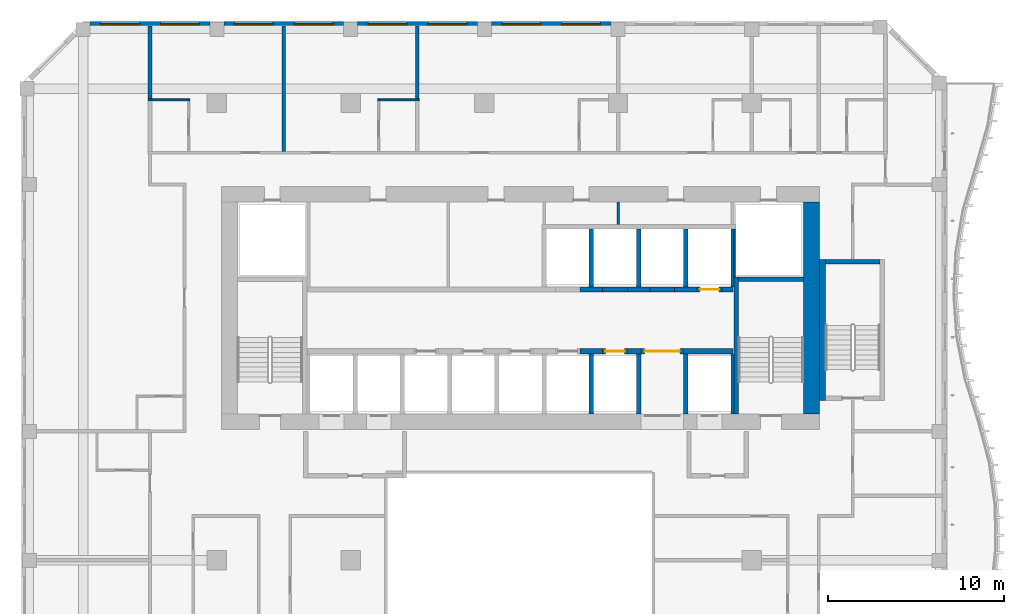
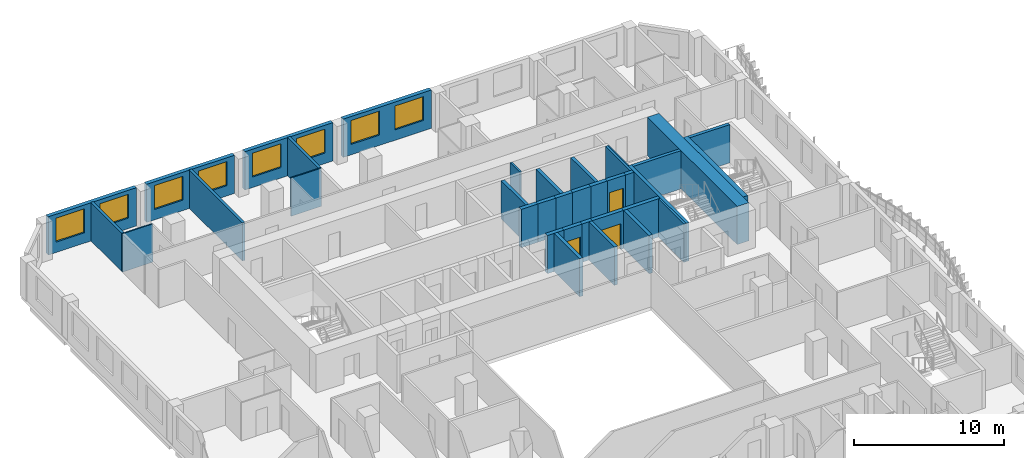
# One storey, part 8 of 20: 36 walls, 8 windows, 3 doors, 11 openings.
"""IFC4 building model written with IfcOpenShell, lengths in metres."""

from ifc_helpers import new_model, si_unit, direction, frame, frame_2d, origin, place, context, subcontext, project, spatial, rectangle, extrude, source, transform, mapped, material, layer, layer_set, type_object, element, fill, save


model = new_model("IFC4")

# Units and contexts
model_context = context("Model", 3, precision=1e-05, world=origin(), true_north=direction((0.0, 1.0)))
body_context = subcontext(model_context, "Body", "Model", "MODEL_VIEW")
ifc_project = project(units=[si_unit("LENGTHUNIT", "METRE"), si_unit("AREAUNIT", "SQUARE_METRE"), si_unit("VOLUMEUNIT", "CUBIC_METRE"), si_unit("PLANEANGLEUNIT", "RADIAN"), si_unit("MASSUNIT", "GRAM", prefix="KILO")], contexts=[model_context])

# Site, building, storey
site_placement = place(None, origin())
site = spatial("IfcSite", under=ifc_project, at=site_placement, CompositionType="ELEMENT")
building_placement = place(site_placement, origin())
building = spatial("IfcBuilding", under=site, at=building_placement, Name="Kilnfold Tower and Market Hall", CompositionType="ELEMENT")
storey_placement = place(building_placement, frame((0.0, 0.0, 157.5)))
storey = spatial("IfcBuildingStorey", under=building, at=storey_placement, Name="L36", CompositionType="ELEMENT", Elevation=157.5)

# Walls
ifc_material_1 = material(Name="Gypsum board on steel studs", Category="steel")
ifc_layer_1 = layer(ifc_material_1, 0.10009765625)
ifc_layer_set_1 = layer_set([ifc_layer_1], Name="Gypsum board on steel studs")
wall_type_1 = type_object("IfcWallType", Name="WALL PARTITION 100", PredefinedType="PARTITIONING", material=ifc_layer_set_1)
for number, where, z_axis, x_axis, name in (
    (1, (-20.05908203125, 26.802001953125, 0.0), (0.0, 0.0, 1.0), (1.0, 0.0, 0.0), "Partition LY23.76"),
    (2, (-7.0419921875, 26.802001953125, 0.0), (0.0, 0.0, 1.0), (1.0, 0.0, 0.0), "Partition LY23.78"),
):
    element("IfcWall", number, at=place(storey_placement, frame(where, z_axis=z_axis, x_axis=x_axis)), inside=storey, type_object=wall_type_1, Name=name, PredefinedType="PARTITIONING", context=body_context, shape_type="SweptSolid", body=[
        extrude(rectangle(XDim=2.35009765625, YDim=0.10009765625, at=frame_2d((1.175048828125, 0.0))), origin(), (0.0, 0.0, 1.0), 3.1201171875),
    ])
ifc_material_2 = material(Name="Gypsum board on steel studs", Category="steel")
ifc_layer_2 = layer(ifc_material_2, 0.199951171875)
ifc_layer_set_2 = layer_set([ifc_layer_2], Name="Gypsum board on steel studs")
wall_type_2 = type_object("IfcWallType", Name="WALL PARTY 200", PredefinedType="PARTITIONING", material=ifc_layer_set_2)
wall_1_placement = place(storey_placement, frame((-19.958984375, 26.842041015625, 0.0), z_axis=(0.0, 0.0, 1.0), x_axis=(0.0, 1.0, 0.0)))
element("IfcWall", 3, at=wall_1_placement, inside=storey, type_object=wall_type_2, Name="Partition LY23.73", PredefinedType="PARTITIONING", context=body_context, shape_type="SweptSolid", body=[
    extrude(rectangle(XDim=4.157958984375, YDim=0.199951171875, at=frame_2d((2.0791015625, 0.0))), origin(), (0.0, 0.0, 1.0), 3.1201171875),
])
wall_2_placement = place(storey_placement, frame((-12.375, 23.876953125, 0.0), z_axis=(0.0, 0.0, 1.0), x_axis=(0.0, 1.0, 0.0)))
element("IfcWall", 4, at=wall_2_placement, inside=storey, type_object=wall_type_2, Name="Partition LY23.77", PredefinedType="PARTITIONING", context=body_context, shape_type="SweptSolid", body=[
    extrude(rectangle(XDim=7.123046875, YDim=0.199951171875, at=frame_2d((3.5615234375, 0.0))), origin(), (0.0, 0.0, 1.0), 3.1201171875),
])
wall_3_placement = place(storey_placement, frame((-4.7919921875, 26.85205078125, 0.0), z_axis=(0.0, 0.0, 1.0), x_axis=(0.0, 1.0, 0.0)))
element("IfcWall", 5, at=wall_3_placement, inside=storey, type_object=wall_type_2, Name="Partition LY23.80", PredefinedType="PARTITIONING", context=body_context, shape_type="SweptSolid", body=[
    extrude(rectangle(XDim=4.14794921875, YDim=0.199951171875, at=frame_2d((2.073974609375, 0.0))), origin(), (0.0, 0.0, 1.0), 3.1201171875),
])
ifc_material_3 = material(Name="Concrete C70", Category="concrete")
ifc_layer_3 = layer(ifc_material_3, 0.89990234375)
ifc_layer_set_3 = layer_set([ifc_layer_3], Name="Concrete C70")
wall_type_3 = type_object("IfcWallType", Name="CORE WALL 900 C70", PredefinedType="SHEAR", material=ifc_layer_set_3)
shared_shape_1 = source(origin(), body_context, "Body", "SweptSolid", [
    extrude(rectangle(XDim=12.0, YDim=0.89990234375, at=frame_2d((6.0, 0.0))), origin(), (0.0, 0.0, 1.0), 3.1201171875),
])
wall_4_placement = place(storey_placement, frame((17.550048828125, 9.0, 0.0), z_axis=(0.0, 0.0, 1.0), x_axis=(0.0, 1.0, 0.0)))
element("IfcWall", 6, at=wall_4_placement, inside=storey, type_object=wall_type_3, Name="Core outer wall east", PredefinedType="SHEAR", context=body_context, shape_type="MappedRepresentation", body=[
    mapped(shared_shape_1, transform((0.0, 0.0, 0.0))),
])
ifc_material_4 = material(Name="Concrete C70", Category="concrete")
ifc_layer_4 = layer(ifc_material_4, 0.25)
ifc_layer_set_4 = layer_set([ifc_layer_4], Name="Concrete C70")
wall_type_4 = type_object("IfcWallType", Name="CORE WALL 250 C70", PredefinedType="SHEAR", material=ifc_layer_set_4)
shared_shape_2 = source(origin(), body_context, "Body", "SweptSolid", [
    extrude(rectangle(XDim=7.75, YDim=0.25, at=frame_2d((3.875, 0.0))), origin(), (0.0, 0.0, 1.0), 3.1201171875),
])
wall_5_placement = place(storey_placement, frame((13.27490234375, 9.0, 0.0), z_axis=(0.0, 0.0, 1.0), x_axis=(0.0, 1.0, 0.0)))
element("IfcWall", 7, at=wall_5_placement, inside=storey, type_object=wall_type_4, Name="Stair enclosure ST2", PredefinedType="SHEAR", context=body_context, shape_type="MappedRepresentation", body=[
    mapped(shared_shape_2, transform((0.0, 0.0, 0.0))),
])
shared_shape_3 = source(origin(), body_context, "Body", "SweptSolid", [
    extrude(rectangle(XDim=3.7001953125, YDim=0.25, at=frame_2d((1.85009765625, 0.0))), origin(), (0.0, 0.0, 1.0), 3.1201171875),
])
wall_6_placement = place(storey_placement, frame((13.39990234375, 16.625, 0.0), z_axis=(0.0, 0.0, 1.0), x_axis=(1.0, 0.0, 0.0)))
element("IfcWall", 8, at=wall_6_placement, inside=storey, type_object=wall_type_4, Name="Stair enclosure ST2", PredefinedType="SHEAR", context=body_context, shape_type="MappedRepresentation", body=[
    mapped(shared_shape_3, transform((0.0, 0.0, 0.0))),
])
ifc_material_5 = material(Name="Concrete C70", Category="concrete")
ifc_layer_5 = layer(ifc_material_5, 0.35009765625)
ifc_layer_set_5 = layer_set([ifc_layer_5], Name="Concrete C70")
wall_type_5 = type_object("IfcWallType", Name="CORE WALL 350 C70", PredefinedType="SHEAR", material=ifc_layer_set_5)
shared_shape_4 = source(origin(), body_context, "Body", "SweptSolid", [
    extrude(rectangle(XDim=8.0, YDim=0.35009765625, at=frame_2d((4.0, 0.0))), origin(), (0.0, 0.0, 1.0), 3.1201171875),
])
wall_7_placement = place(storey_placement, frame((18.175048828125, 9.75, 0.0), z_axis=(0.0, 0.0, 1.0), x_axis=(0.0, 1.0, 0.0)))
element("IfcWall", 9, at=wall_7_placement, inside=storey, type_object=wall_type_5, Name="Stair enclosure ST5", PredefinedType="SHEAR", context=body_context, shape_type="MappedRepresentation", body=[
    mapped(shared_shape_4, transform((0.0, 0.0, 0.0))),
])
shared_shape_5 = source(origin(), body_context, "Body", "SweptSolid", [
    extrude(rectangle(XDim=3.099853515625, YDim=0.25, at=frame_2d((1.5498046875, 0.0))), origin(), (0.0, 0.0, 1.0), 3.1201171875),
])
wall_8_placement = place(storey_placement, frame((18.35009765625, 17.625, 0.0), z_axis=(0.0, 0.0, 1.0), x_axis=(1.0, 0.0, 0.0)))
element("IfcWall", 10, at=wall_8_placement, inside=storey, type_object=wall_type_4, Name="Stair enclosure ST5", PredefinedType="SHEAR", context=body_context, shape_type="MappedRepresentation", body=[
    mapped(shared_shape_5, transform((0.0, 0.0, 0.0))),
])
ifc_material_6 = material(Name="Concrete C70", Category="concrete")
ifc_layer_6 = layer(ifc_material_6, 0.300048828125)
ifc_layer_set_6 = layer_set([ifc_layer_6], Name="Concrete C70")
wall_type_6 = type_object("IfcWallType", Name="CORE WALL 300 C70", PredefinedType="SHEAR", material=ifc_layer_set_6)
shared_shape_6 = source(origin(), body_context, "Body", "SweptSolid", [
    extrude(rectangle(XDim=1.280029296875, YDim=0.300048828125, at=frame_2d((0.64013671875, 0.0))), origin(), (0.0, 0.0, 1.0), 3.1201171875),
])
for number, where, z_axis, x_axis, name in (
    (11, (4.429931640625, 12.550048828125, 0.0), (0.0, 0.0, 1.0), (1.0, 0.0, 0.0), "Core spine wall"),
    (12, (4.429931640625, 16.050048828125, 0.0), (0.0, 0.0, 1.0), (1.0, 0.0, 0.0), "Core spine wall"),
    (13, (9.7900390625, 16.050048828125, 0.0), (0.0, 0.0, 1.0), (1.0, 0.0, 0.0), "Core spine wall"),
):
    element("IfcWall", number, at=place(storey_placement, frame(where, z_axis=z_axis, x_axis=x_axis)), inside=storey, type_object=wall_type_6, Name=name, PredefinedType="SHEAR", context=body_context, shape_type="MappedRepresentation", body=[
        mapped(shared_shape_6, transform((0.0, 0.0, 0.0))),
    ])
shared_shape_7 = source(origin(), body_context, "Body", "SweptSolid", [
    extrude(rectangle(XDim=0.77978515625, YDim=0.300048828125, at=frame_2d((0.389892578125, 0.0))), origin(), (0.0, 0.0, 1.0), 3.1201171875),
])
wall_9_placement = place(storey_placement, frame((7.110107421875, 12.550048828125, 0.0), z_axis=(0.0, 0.0, 1.0), x_axis=(1.0, 0.0, 0.0)))
element("IfcWall", 14, at=wall_9_placement, inside=storey, type_object=wall_type_6, Name="Core spine wall", PredefinedType="SHEAR", context=body_context, shape_type="MappedRepresentation", body=[
    mapped(shared_shape_7, transform((0.0, 0.0, 0.0))),
])
shared_shape_8 = source(origin(), body_context, "Body", "SweptSolid", [
    extrude(rectangle(XDim=2.820068359375, YDim=0.300048828125, at=frame_2d((1.41015625, 0.0))), origin(), (0.0, 0.0, 1.0), 3.1201171875),
])
wall_10_placement = place(storey_placement, frame((10.2900390625, 12.550048828125, 0.0), z_axis=(0.0, 0.0, 1.0), x_axis=(1.0, 0.0, 0.0)))
element("IfcWall", 15, at=wall_10_placement, inside=storey, type_object=wall_type_6, Name="Core spine wall", PredefinedType="SHEAR", context=body_context, shape_type="MappedRepresentation", body=[
    mapped(shared_shape_8, transform((0.0, 0.0, 0.0))),
])
shared_shape_9 = source(origin(), body_context, "Body", "SweptSolid", [
    extrude(rectangle(XDim=1.27978515625, YDim=0.300048828125, at=frame_2d((0.639892578125, 0.0))), origin(), (0.0, 0.0, 1.0), 3.1201171875),
])
wall_11_placement = place(storey_placement, frame((7.110107421875, 16.050048828125, 0.0), z_axis=(0.0, 0.0, 1.0), x_axis=(1.0, 0.0, 0.0)))
element("IfcWall", 16, at=wall_11_placement, inside=storey, type_object=wall_type_6, Name="Core spine wall", PredefinedType="SHEAR", context=body_context, shape_type="MappedRepresentation", body=[
    mapped(shared_shape_9, transform((0.0, 0.0, 0.0))),
])
shared_shape_10 = source(origin(), body_context, "Body", "SweptSolid", [
    extrude(rectangle(XDim=0.64013671875, YDim=0.300048828125, at=frame_2d((0.320068359375, 0.0))), origin(), (0.0, 0.0, 1.0), 3.1201171875),
])
wall_12_placement = place(storey_placement, frame((12.469970703125, 16.050048828125, 0.0), z_axis=(0.0, 0.0, 1.0), x_axis=(1.0, 0.0, 0.0)))
element("IfcWall", 17, at=wall_12_placement, inside=storey, type_object=wall_type_6, Name="Core spine wall", PredefinedType="SHEAR", context=body_context, shape_type="MappedRepresentation", body=[
    mapped(shared_shape_10, transform((0.0, 0.0, 0.0))),
])

# Wall, openings, windows
ifc_material_7 = material(Name="Precast concrete C50/60", Category="concrete")
ifc_layer_7 = layer(ifc_material_7, 0.300048828125)
ifc_layer_set_7 = layer_set([ifc_layer_7], Name="Precast concrete C50/60")
wall_type_7 = type_object("IfcWallType", Name="PRECAST WALL 300", PredefinedType="SOLIDWALL", material=ifc_layer_set_7)
shared_shape_11 = source(origin(), body_context, "Body", "SweptSolid", [
    extrude(rectangle(XDim=6.783447265625, YDim=0.300048828125, at=frame_2d((3.3916015625, 0.0))), origin(), (0.0, 0.0, 1.0), 3.1201171875),
])
wall_13_placement = place(storey_placement, frame((6.183349609375, 31.10009765625, 0.0), z_axis=(0.0, 0.0, 1.0), x_axis=(-1.0, 0.0, 0.0)))
wall_13 = element("IfcWall", 18, at=wall_13_placement, inside=storey, type_object=wall_type_7, Name="External wall L36 N", PredefinedType="SOLIDWALL", context=body_context, shape_type="MappedRepresentation", body=[
    mapped(shared_shape_11, transform((0.0, 0.0, 0.0))),
])
opening_1_placement = place(wall_13_placement, frame((0.595703125, 0.0, 0.85009765625)))
opening_1 = element("IfcOpeningElement", 19, at=opening_1_placement, cuts=wall_13, Name="Opening W2", PredefinedType="OPENING", context=body_context, shape_type="SweptSolid", body=[
    extrude(rectangle(XDim=2.199951171875, YDim=1.949951171875, at=frame_2d((1.10009765625, 0.97509765625))), frame((0.0, 0.16015625, 0.0), z_axis=(0.0, -1.0, 0.0), x_axis=(1.0, 0.0, 0.0)), (0.0, 0.0, 1.0), 0.320068359375),
])
opening_2_placement = place(wall_13_placement, frame((3.987548828125, 0.0, 0.85009765625)))
opening_2 = element("IfcOpeningElement", 20, at=opening_2_placement, cuts=wall_13, Name="Opening W2", PredefinedType="OPENING", context=body_context, shape_type="SweptSolid", body=[
    extrude(rectangle(XDim=2.199951171875, YDim=1.949951171875, at=frame_2d((1.10009765625, 0.97509765625))), frame((0.0, 0.16015625, 0.0), z_axis=(0.0, -1.0, 0.0), x_axis=(1.0, 0.0, 0.0)), (0.0, 0.0, 1.0), 0.320068359375),
])
ifc_material_8 = material(Name="Aluminium frame and double glazing", Category="aluminium")
window_type = type_object("IfcWindowType", Name="WINDOW W2 2200X1950", PartitioningType="SINGLE_PANEL", PredefinedType="WINDOW", material=ifc_material_8)
window_1_placement = place(opening_1_placement, origin())
window_1 = element("IfcWindow", 21, at=window_1_placement, inside=storey, type_object=window_type, Name="Window W2 L36 N-1", OverallHeight=1.949951171875, OverallWidth=2.199951171875, PartitioningType="SINGLE_PANEL", PredefinedType="WINDOW", context=body_context, shape_type="SweptSolid", body=[
    extrude(rectangle(XDim=2.199951171875, YDim=1.949951171875, at=frame_2d((1.10009765625, 0.97509765625))), frame((0.0, 0.030029296875, 0.0), z_axis=(0.0, -1.0, 0.0), x_axis=(1.0, 0.0, 0.0)), (0.0, 0.0, 1.0), 0.06005859375),
])
fill(opening_1, window_1)
window_2_placement = place(opening_2_placement, origin())
window_2 = element("IfcWindow", 22, at=window_2_placement, inside=storey, type_object=window_type, Name="Window W2 L36 N-2", OverallHeight=1.949951171875, OverallWidth=2.199951171875, PartitioningType="SINGLE_PANEL", PredefinedType="WINDOW", context=body_context, shape_type="SweptSolid", body=[
    extrude(rectangle(XDim=2.199951171875, YDim=1.949951171875, at=frame_2d((1.10009765625, 0.97509765625))), frame((0.0, 0.030029296875, 0.0), z_axis=(0.0, -1.0, 0.0), x_axis=(1.0, 0.0, 0.0)), (0.0, 0.0, 1.0), 0.06005859375),
])
fill(opening_2, window_2)

wall_14_placement = place(storey_placement, frame((-1.39990234375, 31.10009765625, 0.0), z_axis=(0.0, 0.0, 1.0), x_axis=(-1.0, 0.0, 0.0)))
wall_14 = element("IfcWall", 23, at=wall_14_placement, inside=storey, type_object=wall_type_7, Name="External wall L36 N", PredefinedType="SOLIDWALL", context=body_context, shape_type="MappedRepresentation", body=[
    mapped(shared_shape_11, transform((0.0, 0.0, 0.0))),
])
opening_3_placement = place(wall_14_placement, frame((0.595703125, 0.0, 0.85009765625)))
opening_3 = element("IfcOpeningElement", 24, at=opening_3_placement, cuts=wall_14, Name="Opening W2", PredefinedType="OPENING", context=body_context, shape_type="SweptSolid", body=[
    extrude(rectangle(XDim=2.199951171875, YDim=1.949951171875, at=frame_2d((1.10009765625, 0.97509765625))), frame((0.0, 0.16015625, 0.0), z_axis=(0.0, -1.0, 0.0), x_axis=(1.0, 0.0, 0.0)), (0.0, 0.0, 1.0), 0.320068359375),
])
opening_4_placement = place(wall_14_placement, frame((3.987548828125, 0.0, 0.85009765625)))
opening_4 = element("IfcOpeningElement", 25, at=opening_4_placement, cuts=wall_14, Name="Opening W2", PredefinedType="OPENING", context=body_context, shape_type="SweptSolid", body=[
    extrude(rectangle(XDim=2.199951171875, YDim=1.949951171875, at=frame_2d((1.10009765625, 0.97509765625))), frame((0.0, 0.16015625, 0.0), z_axis=(0.0, -1.0, 0.0), x_axis=(1.0, 0.0, 0.0)), (0.0, 0.0, 1.0), 0.320068359375),
])
window_3_placement = place(opening_3_placement, origin())
window_3 = element("IfcWindow", 26, at=window_3_placement, inside=storey, type_object=window_type, Name="Window W2 L36 N-1", OverallHeight=1.949951171875, OverallWidth=2.199951171875, PartitioningType="SINGLE_PANEL", PredefinedType="WINDOW", context=body_context, shape_type="SweptSolid", body=[
    extrude(rectangle(XDim=2.199951171875, YDim=1.949951171875, at=frame_2d((1.10009765625, 0.97509765625))), frame((0.0, 0.030029296875, 0.0), z_axis=(0.0, -1.0, 0.0), x_axis=(1.0, 0.0, 0.0)), (0.0, 0.0, 1.0), 0.06005859375),
])
fill(opening_3, window_3)
window_4_placement = place(opening_4_placement, origin())
window_4 = element("IfcWindow", 27, at=window_4_placement, inside=storey, type_object=window_type, Name="Window W2 L36 N-2", OverallHeight=1.949951171875, OverallWidth=2.199951171875, PartitioningType="SINGLE_PANEL", PredefinedType="WINDOW", context=body_context, shape_type="SweptSolid", body=[
    extrude(rectangle(XDim=2.199951171875, YDim=1.949951171875, at=frame_2d((1.10009765625, 0.97509765625))), frame((0.0, 0.030029296875, 0.0), z_axis=(0.0, -1.0, 0.0), x_axis=(1.0, 0.0, 0.0)), (0.0, 0.0, 1.0), 0.06005859375),
])
fill(opening_4, window_4)

wall_15_placement = place(storey_placement, frame((-16.566650390625, 31.10009765625, 0.0), z_axis=(0.0, 0.0, 1.0), x_axis=(-1.0, 0.0, 0.0)))
wall_15 = element("IfcWall", 28, at=wall_15_placement, inside=storey, type_object=wall_type_7, Name="External wall L36 N", PredefinedType="SOLIDWALL", context=body_context, shape_type="MappedRepresentation", body=[
    mapped(shared_shape_11, transform((0.0, 0.0, 0.0))),
])
opening_5_placement = place(wall_15_placement, frame((0.595703125, 0.0, 0.85009765625)))
opening_5 = element("IfcOpeningElement", 29, at=opening_5_placement, cuts=wall_15, Name="Opening W2", PredefinedType="OPENING", context=body_context, shape_type="SweptSolid", body=[
    extrude(rectangle(XDim=2.199951171875, YDim=1.949951171875, at=frame_2d((1.10009765625, 0.97509765625))), frame((0.0, 0.16015625, 0.0), z_axis=(0.0, -1.0, 0.0), x_axis=(1.0, 0.0, 0.0)), (0.0, 0.0, 1.0), 0.320068359375),
])
opening_6_placement = place(wall_15_placement, frame((3.987548828125, 0.0, 0.85009765625)))
opening_6 = element("IfcOpeningElement", 30, at=opening_6_placement, cuts=wall_15, Name="Opening W2", PredefinedType="OPENING", context=body_context, shape_type="SweptSolid", body=[
    extrude(rectangle(XDim=2.199951171875, YDim=1.949951171875, at=frame_2d((1.10009765625, 0.97509765625))), frame((0.0, 0.16015625, 0.0), z_axis=(0.0, -1.0, 0.0), x_axis=(1.0, 0.0, 0.0)), (0.0, 0.0, 1.0), 0.320068359375),
])
window_5_placement = place(opening_5_placement, origin())
window_5 = element("IfcWindow", 31, at=window_5_placement, inside=storey, type_object=window_type, Name="Window W2 L36 N-1", OverallHeight=1.949951171875, OverallWidth=2.199951171875, PartitioningType="SINGLE_PANEL", PredefinedType="WINDOW", context=body_context, shape_type="SweptSolid", body=[
    extrude(rectangle(XDim=2.199951171875, YDim=1.949951171875, at=frame_2d((1.10009765625, 0.97509765625))), frame((0.0, 0.030029296875, 0.0), z_axis=(0.0, -1.0, 0.0), x_axis=(1.0, 0.0, 0.0)), (0.0, 0.0, 1.0), 0.06005859375),
])
fill(opening_5, window_5)
window_6_placement = place(opening_6_placement, origin())
window_6 = element("IfcWindow", 32, at=window_6_placement, inside=storey, type_object=window_type, Name="Window W2 L36 N-2", OverallHeight=1.949951171875, OverallWidth=2.199951171875, PartitioningType="SINGLE_PANEL", PredefinedType="WINDOW", context=body_context, shape_type="SweptSolid", body=[
    extrude(rectangle(XDim=2.199951171875, YDim=1.949951171875, at=frame_2d((1.10009765625, 0.97509765625))), frame((0.0, 0.030029296875, 0.0), z_axis=(0.0, -1.0, 0.0), x_axis=(1.0, 0.0, 0.0)), (0.0, 0.0, 1.0), 0.06005859375),
])
fill(opening_6, window_6)

shared_shape_12 = source(origin(), body_context, "Body", "SweptSolid", [
    extrude(rectangle(XDim=6.783203125, YDim=0.300048828125, at=frame_2d((3.3916015625, 0.0))), origin(), (0.0, 0.0, 1.0), 3.1201171875),
])
wall_16_placement = place(storey_placement, frame((-8.9833984375, 31.10009765625, 0.0), z_axis=(0.0, 0.0, 1.0), x_axis=(-1.0, 0.0, 0.0)))
wall_16 = element("IfcWall", 33, at=wall_16_placement, inside=storey, type_object=wall_type_7, Name="External wall L36 N", PredefinedType="SOLIDWALL", context=body_context, shape_type="MappedRepresentation", body=[
    mapped(shared_shape_12, transform((0.0, 0.0, 0.0))),
])
opening_7_placement = place(wall_16_placement, frame((0.595703125, 0.0, 0.85009765625)))
opening_7 = element("IfcOpeningElement", 34, at=opening_7_placement, cuts=wall_16, Name="Opening W2", PredefinedType="OPENING", context=body_context, shape_type="SweptSolid", body=[
    extrude(rectangle(XDim=2.199951171875, YDim=1.949951171875, at=frame_2d((1.10009765625, 0.97509765625))), frame((0.0, 0.16015625, 0.0), z_axis=(0.0, -1.0, 0.0), x_axis=(1.0, 0.0, 0.0)), (0.0, 0.0, 1.0), 0.320068359375),
])
opening_8_placement = place(wall_16_placement, frame((3.987548828125, 0.0, 0.85009765625)))
opening_8 = element("IfcOpeningElement", 35, at=opening_8_placement, cuts=wall_16, Name="Opening W2", PredefinedType="OPENING", context=body_context, shape_type="SweptSolid", body=[
    extrude(rectangle(XDim=2.199951171875, YDim=1.949951171875, at=frame_2d((1.10009765625, 0.97509765625))), frame((0.0, 0.16015625, 0.0), z_axis=(0.0, -1.0, 0.0), x_axis=(1.0, 0.0, 0.0)), (0.0, 0.0, 1.0), 0.320068359375),
])
window_7_placement = place(opening_7_placement, origin())
window_7 = element("IfcWindow", 36, at=window_7_placement, inside=storey, type_object=window_type, Name="Window W2 L36 N-1", OverallHeight=1.949951171875, OverallWidth=2.199951171875, PartitioningType="SINGLE_PANEL", PredefinedType="WINDOW", context=body_context, shape_type="SweptSolid", body=[
    extrude(rectangle(XDim=2.199951171875, YDim=1.949951171875, at=frame_2d((1.10009765625, 0.97509765625))), frame((0.0, 0.030029296875, 0.0), z_axis=(0.0, -1.0, 0.0), x_axis=(1.0, 0.0, 0.0)), (0.0, 0.0, 1.0), 0.06005859375),
])
fill(opening_7, window_7)
window_8_placement = place(opening_8_placement, origin())
window_8 = element("IfcWindow", 37, at=window_8_placement, inside=storey, type_object=window_type, Name="Window W2 L36 N-2", OverallHeight=1.949951171875, OverallWidth=2.199951171875, PartitioningType="SINGLE_PANEL", PredefinedType="WINDOW", context=body_context, shape_type="SweptSolid", body=[
    extrude(rectangle(XDim=2.199951171875, YDim=1.949951171875, at=frame_2d((1.10009765625, 0.97509765625))), frame((0.0, 0.030029296875, 0.0), z_axis=(0.0, -1.0, 0.0), x_axis=(1.0, 0.0, 0.0)), (0.0, 0.0, 1.0), 0.06005859375),
])
fill(opening_8, window_8)

# Wall, opening, door
ifc_material_9 = material(Name="Gypsum shaft wall system")
ifc_layer_8 = layer(ifc_material_9, 0.300048828125)
ifc_layer_set_8 = layer_set([ifc_layer_8], Name="Gypsum shaft wall system")
wall_type_8 = type_object("IfcWallType", Name="SHAFT WALL 300", PredefinedType="PARTITIONING", material=ifc_layer_set_8)
shared_shape_13 = source(origin(), body_context, "Body", "SweptSolid", [
    extrude(rectangle(XDim=1.39990234375, YDim=0.300048828125, at=frame_2d((0.699951171875, 0.0))), origin(), (0.0, 0.0, 1.0), 3.1201171875),
])
wall_17_placement = place(storey_placement, frame((11.070068359375, 16.050048828125, 0.0), z_axis=(0.0, 0.0, 1.0), x_axis=(1.0, 0.0, 0.0)))
wall_17 = element("IfcWall", 38, at=wall_17_placement, inside=storey, type_object=wall_type_8, Name="Lift shaft front wall", PredefinedType="PARTITIONING", context=body_context, shape_type="MappedRepresentation", body=[
    mapped(shared_shape_13, transform((0.0, 0.0, 0.0))),
])
opening_9_placement = place(wall_17_placement, frame((0.14990234375, 0.0, 0.0)))
opening_9 = element("IfcOpeningElement", 39, at=opening_9_placement, cuts=wall_17, Name="Opening LD2", PredefinedType="OPENING", context=body_context, shape_type="SweptSolid", body=[
    extrude(rectangle(XDim=1.10009765625, YDim=2.10009765625, at=frame_2d((0.550048828125, 1.050048828125))), frame((0.0, 0.16015625, 0.0), z_axis=(0.0, -1.0, 0.0), x_axis=(1.0, 0.0, 0.0)), (0.0, 0.0, 1.0), 0.320068359375),
])
ifc_material_10 = material(Name="Steel door set with fire-resisting leaf", Category="steel")
door_type_1 = type_object("IfcDoorType", Name="LANDING DOOR 1100X2100", OperationType="NOTDEFINED", PredefinedType="DOOR", material=ifc_material_10)
door_1_placement = place(opening_9_placement, origin())
door_1 = element("IfcDoor", 40, at=door_1_placement, inside=storey, type_object=door_type_1, Name="Landing door MR6", OperationType="DOUBLE_DOOR_SLIDING", OverallHeight=2.10009765625, OverallWidth=1.10009765625, PredefinedType="DOOR", context=body_context, shape_type="SweptSolid", body=[
    extrude(rectangle(XDim=1.10009765625, YDim=2.10009765625, at=frame_2d((0.550048828125, 1.050048828125))), frame((0.0, 0.02490234375, 0.0), z_axis=(0.0, -1.0, 0.0), x_axis=(1.0, 0.0, 0.0)), (0.0, 0.0, 1.0), 0.050048828125),
])
fill(opening_9, door_1)

shared_shape_14 = source(origin(), body_context, "Body", "SweptSolid", [
    extrude(rectangle(XDim=1.400146484375, YDim=0.300048828125, at=frame_2d((0.7001953125, 0.0))), origin(), (0.0, 0.0, 1.0), 3.1201171875),
])
wall_18_placement = place(storey_placement, frame((5.7099609375, 12.550048828125, 0.0), z_axis=(0.0, 0.0, 1.0), x_axis=(1.0, 0.0, 0.0)))
wall_18 = element("IfcWall", 41, at=wall_18_placement, inside=storey, type_object=wall_type_8, Name="Lift shaft front wall", PredefinedType="PARTITIONING", context=body_context, shape_type="MappedRepresentation", body=[
    mapped(shared_shape_14, transform((0.0, 0.0, 0.0))),
])
opening_10_placement = place(wall_18_placement, frame((0.14990234375, 0.0, 0.0)))
opening_10 = element("IfcOpeningElement", 42, at=opening_10_placement, cuts=wall_18, Name="Opening LD2", PredefinedType="OPENING", context=body_context, shape_type="SweptSolid", body=[
    extrude(rectangle(XDim=1.10009765625, YDim=2.10009765625, at=frame_2d((0.550048828125, 1.050048828125))), frame((0.0, 0.16015625, 0.0), z_axis=(0.0, -1.0, 0.0), x_axis=(1.0, 0.0, 0.0)), (0.0, 0.0, 1.0), 0.320068359375),
])
door_2_placement = place(opening_10_placement, origin())
door_2 = element("IfcDoor", 43, at=door_2_placement, inside=storey, type_object=door_type_1, Name="Landing door MR5", OperationType="DOUBLE_DOOR_SLIDING", OverallHeight=2.10009765625, OverallWidth=1.10009765625, PredefinedType="DOOR", context=body_context, shape_type="SweptSolid", body=[
    extrude(rectangle(XDim=1.10009765625, YDim=2.10009765625, at=frame_2d((0.550048828125, 1.050048828125))), frame((0.0, 0.02490234375, 0.0), z_axis=(0.0, -1.0, 0.0), x_axis=(1.0, 0.0, 0.0)), (0.0, 0.0, 1.0), 0.050048828125),
])
fill(opening_10, door_2)

# Walls
for number, where, z_axis, x_axis, name in (
    (44, (5.7099609375, 16.050048828125, 0.0), (0.0, 0.0, 1.0), (1.0, 0.0, 0.0), "Lift shaft front wall"),
    (45, (8.389892578125, 16.050048828125, 0.0), (0.0, 0.0, 1.0), (1.0, 0.0, 0.0), "Lift shaft front wall"),
):
    element("IfcWall", number, at=place(storey_placement, frame(where, z_axis=z_axis, x_axis=x_axis)), inside=storey, type_object=wall_type_8, Name=name, PredefinedType="PARTITIONING", context=body_context, shape_type="MappedRepresentation", body=[
        mapped(shared_shape_14, transform((0.0, 0.0, 0.0))),
    ])

# Wall, opening, door
shared_shape_15 = source(origin(), body_context, "Body", "SweptSolid", [
    extrude(rectangle(XDim=2.400146484375, YDim=0.300048828125, at=frame_2d((1.2001953125, 0.0))), origin(), (0.0, 0.0, 1.0), 3.1201171875),
])
wall_19_placement = place(storey_placement, frame((7.889892578125, 12.550048828125, 0.0), z_axis=(0.0, 0.0, 1.0), x_axis=(1.0, 0.0, 0.0)))
wall_19 = element("IfcWall", 46, at=wall_19_placement, inside=storey, type_object=wall_type_8, Name="Lift shaft front wall", PredefinedType="PARTITIONING", context=body_context, shape_type="MappedRepresentation", body=[
    mapped(shared_shape_15, transform((0.0, 0.0, 0.0))),
])
opening_11_placement = place(wall_19_placement, frame((0.199951171875, 0.0, 0.0)))
opening_11 = element("IfcOpeningElement", 47, at=opening_11_placement, cuts=wall_19, Name="Opening VD2", PredefinedType="OPENING", context=body_context, shape_type="SweptSolid", body=[
    extrude(rectangle(XDim=2.0, YDim=2.10009765625, at=frame_2d((1.0, 1.050048828125))), frame((0.0, 0.16015625, 0.0), z_axis=(0.0, -1.0, 0.0), x_axis=(1.0, 0.0, 0.0)), (0.0, 0.0, 1.0), 0.320068359375),
])
ifc_material_11 = material(Name="Steel door set with fire-resisting leaf", Category="steel")
door_type_2 = type_object("IfcDoorType", Name="LIFT LOBBY ENTRANCE DOOR 2000X2100", OperationType="NOTDEFINED", PredefinedType="DOOR", material=ifc_material_11)
door_3_placement = place(opening_11_placement, origin())
door_3 = element("IfcDoor", 48, at=door_3_placement, inside=storey, type_object=door_type_2, Name="Lift lobby entrance door", OperationType="DOUBLE_DOOR_SINGLE_SWING", OverallHeight=2.10009765625, OverallWidth=2.0, PredefinedType="DOOR", context=body_context, shape_type="SweptSolid", body=[
    extrude(rectangle(XDim=2.0, YDim=2.10009765625, at=frame_2d((1.0, 1.050048828125))), frame((0.0, 0.02490234375, 0.0), z_axis=(0.0, -1.0, 0.0), x_axis=(1.0, 0.0, 0.0)), (0.0, 0.0, 1.0), 0.050048828125),
])
fill(opening_11, door_3)

# Walls
ifc_material_12 = material(Name="Gypsum shaft wall system")
ifc_layer_9 = layer(ifc_material_12, 0.1650390625)
ifc_layer_set_9 = layer_set([ifc_layer_9], Name="Gypsum shaft wall system")
wall_type_9 = type_object("IfcWallType", Name="SHAFT WALL 165", PredefinedType="PARTITIONING", material=ifc_layer_set_9)
shared_shape_16 = source(origin(), body_context, "Body", "SweptSolid", [
    extrude(rectangle(XDim=3.275146484375, YDim=0.1650390625, at=frame_2d((1.6376953125, 0.0))), origin(), (0.0, 0.0, 1.0), 3.1201171875),
])
wall_20_placement = place(storey_placement, frame((13.0673828125, 16.199951171875, 0.0), z_axis=(0.0, 0.0, 1.0), x_axis=(0.0, 1.0, 0.0)))
element("IfcWall", 49, at=wall_20_placement, inside=storey, type_object=wall_type_9, Name="Lift shaft wall", PredefinedType="PARTITIONING", context=body_context, shape_type="MappedRepresentation", body=[
    mapped(shared_shape_16, transform((0.0, 0.0, 0.0))),
])
ifc_material_13 = material(Name="Gypsum shaft wall system")
ifc_layer_10 = layer(ifc_material_13, 0.25)
ifc_layer_set_10 = layer_set([ifc_layer_10], Name="Gypsum shaft wall system")
wall_type_10 = type_object("IfcWallType", Name="SHAFT WALL 250", PredefinedType="PARTITIONING", material=ifc_layer_set_10)
shared_shape_17 = source(origin(), body_context, "Body", "SweptSolid", [
    extrude(rectangle(XDim=3.275146484375, YDim=0.25, at=frame_2d((1.6376953125, 0.0))), origin(), (0.0, 0.0, 1.0), 3.1201171875),
])
for number, where, z_axis, x_axis, name in (
    (50, (10.429931640625, 16.199951171875, 0.0), (0.0, 0.0, 1.0), (0.0, 1.0, 0.0), "Lift shaft wall"),
    (51, (5.070068359375, 16.199951171875, 0.0), (0.0, 0.0, 1.0), (0.0, 1.0, 0.0), "Lift shaft wall"),
    (52, (7.75, 16.199951171875, 0.0), (0.0, 0.0, 1.0), (0.0, 1.0, 0.0), "Lift shaft wall"),
):
    element("IfcWall", number, at=place(storey_placement, frame(where, z_axis=z_axis, x_axis=x_axis)), inside=storey, type_object=wall_type_10, Name=name, PredefinedType="PARTITIONING", context=body_context, shape_type="MappedRepresentation", body=[
        mapped(shared_shape_17, transform((0.0, 0.0, 0.0))),
    ])
ifc_material_14 = material(Name="Gypsum shaft wall system")
ifc_layer_11 = layer(ifc_material_14, 0.0849609375)
ifc_layer_set_11 = layer_set([ifc_layer_11], Name="Gypsum shaft wall system")
wall_type_11 = type_object("IfcWallType", Name="SHAFT WALL 85", PredefinedType="PARTITIONING", material=ifc_layer_set_11)
shared_shape_18 = source(origin(), body_context, "Body", "SweptSolid", [
    extrude(rectangle(XDim=2.72509765625, YDim=0.0849609375, at=frame_2d((1.362548828125, 0.0))), origin(), (0.0, 0.0, 1.0), 3.1201171875),
])
wall_21_placement = place(storey_placement, frame((13.1923828125, 16.75, 0.0), z_axis=(0.0, 0.0, 1.0), x_axis=(0.0, 1.0, 0.0)))
element("IfcWall", 53, at=wall_21_placement, inside=storey, type_object=wall_type_11, Name="Lift shaft wall", PredefinedType="PARTITIONING", context=body_context, shape_type="MappedRepresentation", body=[
    mapped(shared_shape_18, transform((0.0, 0.0, 0.0))),
])
shared_shape_19 = source(origin(), body_context, "Body", "SweptSolid", [
    extrude(rectangle(XDim=3.39990234375, YDim=0.25, at=frame_2d((1.699951171875, 0.0))), origin(), (0.0, 0.0, 1.0), 3.1201171875),
])
for number, where, z_axis, x_axis, name in (
    (54, (10.429931640625, 9.0, 0.0), (0.0, 0.0, 1.0), (0.0, 1.0, 0.0), "Lift shaft wall"),
    (55, (5.070068359375, 9.0, 0.0), (0.0, 0.0, 1.0), (0.0, 1.0, 0.0), "Lift shaft wall"),
    (56, (7.75, 9.0, 0.0), (0.0, 0.0, 1.0), (0.0, 1.0, 0.0), "Lift shaft wall"),
):
    element("IfcWall", number, at=place(storey_placement, frame(where, z_axis=z_axis, x_axis=x_axis)), inside=storey, type_object=wall_type_10, Name=name, PredefinedType="PARTITIONING", context=body_context, shape_type="MappedRepresentation", body=[
        mapped(shared_shape_19, transform((0.0, 0.0, 0.0))),
    ])
shared_shape_20 = source(origin(), body_context, "Body", "SweptSolid", [
    extrude(rectangle(XDim=3.39990234375, YDim=0.1650390625, at=frame_2d((1.699951171875, 0.0))), origin(), (0.0, 0.0, 1.0), 3.1201171875),
])
wall_22_placement = place(storey_placement, frame((13.0673828125, 9.0, 0.0), z_axis=(0.0, 0.0, 1.0), x_axis=(0.0, 1.0, 0.0)))
element("IfcWall", 57, at=wall_22_placement, inside=storey, type_object=wall_type_9, Name="Lift shaft wall", PredefinedType="PARTITIONING", context=body_context, shape_type="MappedRepresentation", body=[
    mapped(shared_shape_20, transform((0.0, 0.0, 0.0))),
])
ifc_material_15 = material(Name="Gypsum shaft wall system")
ifc_layer_12 = layer(ifc_material_15, 0.14990234375)
ifc_layer_set_12 = layer_set([ifc_layer_12], Name="Gypsum shaft wall system")
wall_type_12 = type_object("IfcWallType", Name="ROOM WALL 150", PredefinedType="PARTITIONING", material=ifc_layer_set_12)
shared_shape_21 = source(origin(), body_context, "Body", "SweptSolid", [
    extrude(rectangle(XDim=1.27490234375, YDim=0.14990234375, at=frame_2d((0.637451171875, 0.0))), origin(), (0.0, 0.0, 1.0), 3.1201171875),
])
wall_23_placement = place(storey_placement, frame((6.59765625, 19.72509765625, 0.0), z_axis=(0.0, 0.0, 1.0), x_axis=(0.0, 1.0, 0.0)))
element("IfcWall", 58, at=wall_23_placement, inside=storey, type_object=wall_type_12, Name="Core room wall", PredefinedType="PARTITIONING", context=body_context, shape_type="MappedRepresentation", body=[
    mapped(shared_shape_21, transform((0.0, 0.0, 0.0))),
])

save(model, "model.ifc")
